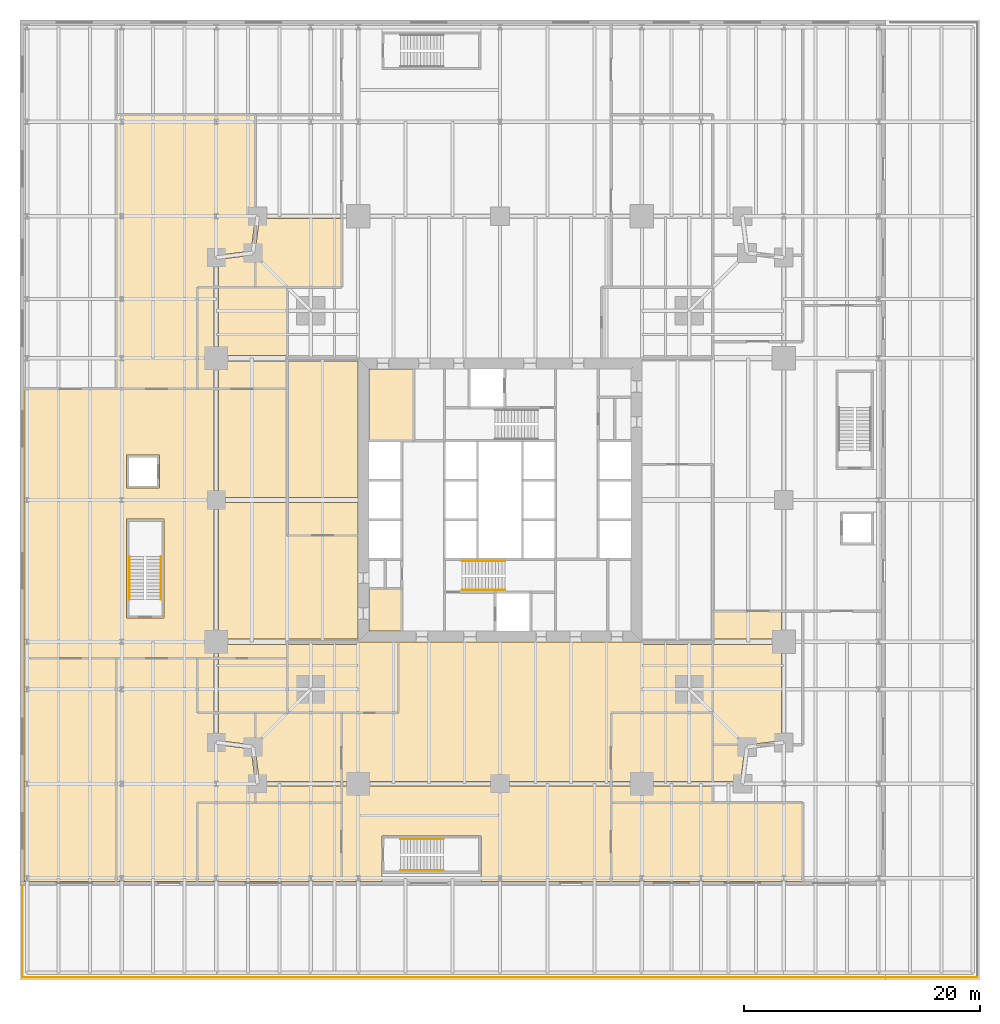
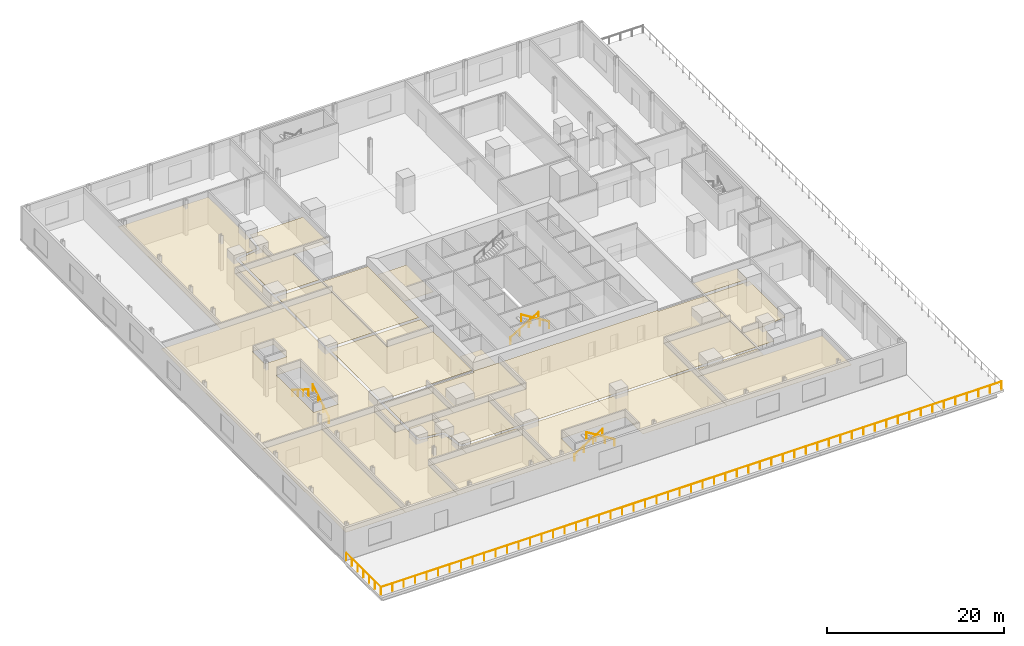
# One storey, part 17 of 18: 31 coverings, 8 railings.
"""IFC4 building model written with IfcOpenShell, lengths in metres."""

from ifc_helpers import new_model, si_unit, direction, frame, origin, origin_2d, place, context, subcontext, project, spatial, polyline, circle, outline, extrude, material, layer, layer_set, type_object, element, save


model = new_model("IFC4")

# Units and contexts
model_context = context("Model", 3, precision=1e-05, world=origin(), true_north=direction((0.0, 1.0)))
body_context = subcontext(model_context, "Body", "Model", "MODEL_VIEW")
ifc_project = project(units=[si_unit("LENGTHUNIT", "METRE"), si_unit("AREAUNIT", "SQUARE_METRE"), si_unit("VOLUMEUNIT", "CUBIC_METRE"), si_unit("PLANEANGLEUNIT", "RADIAN"), si_unit("MASSUNIT", "GRAM", prefix="KILO")], contexts=[model_context])

# Site, building, storey
site_placement = place(None, origin())
site = spatial("IfcSite", under=ifc_project, at=site_placement, CompositionType="ELEMENT")
building_placement = place(site_placement, origin())
building = spatial("IfcBuilding", under=site, at=building_placement, Name="Fenwick Lantern Interchange", CompositionType="ELEMENT")
storey_placement = place(building_placement, frame((0.0, 0.0, 11.800048828125)))
storey = spatial("IfcBuildingStorey", under=building, at=storey_placement, Name="L02", CompositionType="ELEMENT", Elevation=11.800048828125)

# Coverings
ifc_material_1 = material(Name="Mineral fibre acoustic tile on suspended grid")
ifc_layer_1 = layer(ifc_material_1, 0.02001953125)
ifc_layer_set_1 = layer_set([ifc_layer_1], Name="ACOUSTIC TILE CEILING 20")
covering_type_1 = type_object("IfcCoveringType", Name="ACOUSTIC TILE CEILING 20", PredefinedType="CEILING", material=ifc_layer_set_1)
covering_1_placement = place(storey_placement, frame((0.0, 0.0, 3.599853515625)))
element("IfcCovering", 1, at=covering_1_placement, inside=storey, type_object=covering_type_1, Name="Retail arcade west ceiling", PredefinedType="CEILING", context=body_context, shape_type="SweptSolid", body=[
    extrude(outline(polyline([(-7.449951171875, 34.39990234375), (-15.25, 34.39990234375), (-15.25, 11.60009765625), (-7.449951171875, 11.60009765625), (-0.60009765625, 11.60009765625), (0.824951171875, 11.60009765625), (0.824951171875, 13.0), (0.824951171875, 25.0), (0.824951171875, 34.39990234375), (-0.60009765625, 34.39990234375), (-7.449951171875, 34.39990234375)]), holes=[polyline([(-3.39990234375, 15.0), (-6.60009765625, 15.0), (-6.60009765625, 23.39990234375), (-3.39990234375, 23.39990234375), (-3.39990234375, 15.0)]), polyline([(-3.800048828125, 26.0), (-6.60009765625, 26.0), (-6.60009765625, 28.800048828125), (-3.800048828125, 28.800048828125), (-3.800048828125, 26.0)])]), origin(), (0.0, 0.0, 1.0), 0.02001953125),
])
covering_2_placement = place(storey_placement, frame((0.0, 0.0, 3.599853515625)))
element("IfcCovering", 2, at=covering_2_placement, inside=storey, type_object=covering_type_1, Name="Retail arcade west ceiling", PredefinedType="CEILING", context=body_context, shape_type="SweptSolid", body=[
    extrude(outline(polyline([(7.0, 22.0), (7.0, 24.775634765625), (1.175048828125, 24.775634765625), (1.175048828125, 13.232177734375), (13.0, 13.232177734375), (13.0, 22.0), (7.0, 22.0)])), origin(), (0.0, 0.0, 1.0), 0.02001953125),
])
covering_3_placement = place(storey_placement, frame((0.0, 0.0, 3.599853515625)))
element("IfcCovering", 3, at=covering_3_placement, inside=storey, type_object=covering_type_1, Name="Retail arcade west ceiling", PredefinedType="CEILING", context=body_context, shape_type="SweptSolid", body=[
    extrude(outline(polyline([(7.0, 34.39990234375), (1.175048828125, 34.39990234375), (1.175048828125, 25.224365234375), (7.0, 25.224365234375), (7.0, 34.39990234375)])), origin(), (0.0, 0.0, 1.0), 0.02001953125),
])
covering_4_placement = place(storey_placement, frame((0.0, 0.0, 3.599853515625)))
element("IfcCovering", 4, at=covering_4_placement, inside=storey, type_object=covering_type_1, Name="Retail arcade west ceiling", PredefinedType="CEILING", context=body_context, shape_type="SweptSolid", body=[
    extrude(outline(polyline([(7.0, 11.60009765625), (7.0, 12.767822265625), (1.175048828125, 12.767822265625), (1.175048828125, 11.60009765625), (7.0, 11.60009765625)])), origin(), (0.0, 0.0, 1.0), 0.02001953125),
])
covering_5_placement = place(storey_placement, frame((0.0, 0.0, 3.599853515625)))
element("IfcCovering", 5, at=covering_5_placement, inside=storey, type_object=covering_type_1, Name="Retail arcade south ceiling", PredefinedType="CEILING", context=body_context, shape_type="SweptSolid", body=[
    extrude(outline(polyline([(11.60009765625, 7.0), (11.60009765625, 1.175048828125), (13.0, 1.175048828125), (25.0, 1.175048828125), (34.39990234375, 1.175048828125), (34.39990234375, 7.0), (43.0, 7.0), (43.0, 12.767822265625), (37.0, 12.767822265625), (37.0, 13.0), (16.39990234375, 13.0), (16.39990234375, 7.0), (11.60009765625, 7.0)])), origin(), (0.0, 0.0, 1.0), 0.02001953125),
])
covering_6_placement = place(storey_placement, frame((0.0, 0.0, 3.599853515625)))
element("IfcCovering", 6, at=covering_6_placement, inside=storey, type_object=covering_type_1, Name="Retail arcade south ceiling", PredefinedType="CEILING", context=body_context, shape_type="SweptSolid", body=[
    extrude(outline(polyline([(11.60009765625, -0.60009765625), (11.60009765625, -7.25), (15.0, -7.25), (15.0, -6.60009765625), (15.0, -3.39990234375), (23.39990234375, -3.39990234375), (23.39990234375, -6.60009765625), (23.39990234375, -7.25), (34.39990234375, -7.25), (34.39990234375, -0.60009765625), (34.39990234375, 0.824951171875), (25.0, 0.824951171875), (13.0, 0.824951171875), (11.60009765625, 0.824951171875), (11.60009765625, -0.60009765625)])), origin(), (0.0, 0.0, 1.0), 0.02001953125),
])
covering_7_placement = place(storey_placement, frame((0.0, 0.0, 3.599853515625)))
element("IfcCovering", 7, at=covering_7_placement, inside=storey, type_object=covering_type_1, Name="Retail unit 02-1 ceiling", PredefinedType="CEILING", context=body_context, shape_type="SweptSolid", body=[
    extrude(outline(polyline([(-0.60009765625, -0.60009765625), (-0.60009765625, -7.25), (11.60009765625, -7.25), (11.60009765625, -0.60009765625), (-0.60009765625, -0.60009765625)])), origin(), (0.0, 0.0, 1.0), 0.02001953125),
])
covering_8_placement = place(storey_placement, frame((0.0, 0.0, 3.599853515625)))
element("IfcCovering", 8, at=covering_8_placement, inside=storey, type_object=covering_type_1, Name="Retail unit 02-2 ceiling", PredefinedType="CEILING", context=body_context, shape_type="SweptSolid", body=[
    extrude(outline(polyline([(4.300048828125, 7.0), (4.300048828125, 3.9169921875), (4.65380859375, 1.175048828125), (11.60009765625, 1.175048828125), (11.60009765625, 7.0), (4.300048828125, 7.0)])), origin(), (0.0, 0.0, 1.0), 0.02001953125),
])
covering_9_placement = place(storey_placement, frame((0.0, 0.0, 3.599853515625)))
element("IfcCovering", 9, at=covering_9_placement, inside=storey, type_object=covering_type_1, Name="Retail unit 02-2 ceiling", PredefinedType="CEILING", context=body_context, shape_type="SweptSolid", body=[
    extrude(outline(polyline([(4.300048828125, 1.182861328125), (4.300048828125, -0.60009765625), (11.60009765625, -0.60009765625), (11.60009765625, 0.824951171875), (4.5, 0.824951171875), (4.5, 1.0), (4.326416015625, 0.9775390625), (4.300048828125, 1.182861328125)])), origin(), (0.0, 0.0, 1.0), 0.02001953125),
])
covering_10_placement = place(storey_placement, frame((0.0, 0.0, 3.599853515625)))
element("IfcCovering", 10, at=covering_10_placement, inside=storey, type_object=covering_type_1, Name="Retail unit 02-3 ceiling", PredefinedType="CEILING", context=body_context, shape_type="SweptSolid", body=[
    extrude(outline(polyline([(-0.60009765625, 11.60009765625), (-7.449951171875, 11.60009765625), (-7.449951171875, -7.25), (-0.60009765625, -7.25), (-0.60009765625, -0.60009765625), (4.300048828125, -0.60009765625), (4.300048828125, 1.182861328125), (3.94384765625, 3.94384765625), (0.9775390625, 4.326416015625), (1.0, 4.5), (0.824951171875, 4.5), (0.824951171875, 7.0), (-0.60009765625, 7.0), (-0.60009765625, 11.60009765625)])), origin(), (0.0, 0.0, 1.0), 0.02001953125),
])
covering_11_placement = place(storey_placement, frame((0.0, 0.0, 3.599853515625)))
element("IfcCovering", 11, at=covering_11_placement, inside=storey, type_object=covering_type_1, Name="Retail unit 02-3 ceiling", PredefinedType="CEILING", context=body_context, shape_type="SweptSolid", body=[
    extrude(outline(polyline([(4.300048828125, 7.0), (1.175048828125, 7.0), (1.175048828125, 4.65380859375), (4.122314453125, 4.2734375), (4.10009765625, 4.10009765625), (4.2734375, 4.122314453125), (4.300048828125, 3.9169921875), (4.300048828125, 7.0)])), origin(), (0.0, 0.0, 1.0), 0.02001953125),
])
covering_12_placement = place(storey_placement, frame((0.0, 0.0, 3.599853515625)))
element("IfcCovering", 12, at=covering_12_placement, inside=storey, type_object=covering_type_1, Name="Retail unit 02-4 ceiling", PredefinedType="CEILING", context=body_context, shape_type="SweptSolid", body=[
    extrude(outline(polyline([(-7.449951171875, 11.60009765625), (-15.25, 11.60009765625), (-15.25, -7.25), (-7.449951171875, -7.25), (-7.449951171875, 11.60009765625)])), origin(), (0.0, 0.0, 1.0), 0.02001953125),
])
covering_13_placement = place(storey_placement, frame((0.0, 0.0, 3.599853515625)))
element("IfcCovering", 13, at=covering_13_placement, inside=storey, type_object=covering_type_1, Name="Retail unit 02-5 ceiling", PredefinedType="CEILING", context=body_context, shape_type="SweptSolid", body=[
    extrude(outline(polyline([(7.0, 11.60009765625), (1.175048828125, 11.60009765625), (1.175048828125, 7.0), (7.0, 7.0), (7.0, 11.60009765625)])), origin(), (0.0, 0.0, 1.0), 0.02001953125),
])
covering_14_placement = place(storey_placement, frame((0.0, 0.0, 3.599853515625)))
element("IfcCovering", 14, at=covering_14_placement, inside=storey, type_object=covering_type_1, Name="Retail unit 02-5 ceiling", PredefinedType="CEILING", context=body_context, shape_type="SweptSolid", body=[
    extrude(outline(polyline([(-0.60009765625, 11.60009765625), (-0.60009765625, 7.0), (0.824951171875, 7.0), (0.824951171875, 11.60009765625), (-0.60009765625, 11.60009765625)])), origin(), (0.0, 0.0, 1.0), 0.02001953125),
])
covering_15_placement = place(storey_placement, frame((0.0, 0.0, 3.599853515625)))
element("IfcCovering", 15, at=covering_15_placement, inside=storey, type_object=covering_type_1, Name="Retail unit 02-6 ceiling", PredefinedType="CEILING", context=body_context, shape_type="SweptSolid", body=[
    extrude(outline(polyline([(34.39990234375, -0.60009765625), (34.39990234375, -7.25), (50.60009765625, -7.25), (50.60009765625, -0.60009765625), (34.39990234375, -0.60009765625)])), origin(), (0.0, 0.0, 1.0), 0.02001953125),
])
covering_16_placement = place(storey_placement, frame((0.0, 0.0, 3.599853515625)))
element("IfcCovering", 16, at=covering_16_placement, inside=storey, type_object=covering_type_1, Name="Retail unit 02-7 ceiling", PredefinedType="CEILING", context=body_context, shape_type="SweptSolid", body=[
    extrude(outline(polyline([(34.39990234375, 7.0), (34.39990234375, 1.175048828125), (37.0, 1.175048828125), (43.0, 1.175048828125), (43.0, 7.0), (34.39990234375, 7.0)])), origin(), (0.0, 0.0, 1.0), 0.02001953125),
])
covering_17_placement = place(storey_placement, frame((0.0, 0.0, 3.599853515625)))
element("IfcCovering", 17, at=covering_17_placement, inside=storey, type_object=covering_type_1, Name="Retail unit 02-7 ceiling", PredefinedType="CEILING", context=body_context, shape_type="SweptSolid", body=[
    extrude(outline(polyline([(34.39990234375, 0.824951171875), (34.39990234375, -0.60009765625), (43.0, -0.60009765625), (43.0, 0.824951171875), (37.0, 0.824951171875), (34.39990234375, 0.824951171875)])), origin(), (0.0, 0.0, 1.0), 0.02001953125),
])
covering_18_placement = place(storey_placement, frame((0.0, 0.0, 3.599853515625)))
element("IfcCovering", 18, at=covering_18_placement, inside=storey, type_object=covering_type_1, Name="Retail unit 02-8 ceiling", PredefinedType="CEILING", context=body_context, shape_type="SweptSolid", body=[
    extrude(outline(polyline([(43.0, 4.300048828125), (43.0, 1.175048828125), (45.34619140625, 1.175048828125), (45.7265625, 4.122314453125), (45.89990234375, 4.10009765625), (45.877685546875, 4.2734375), (46.0830078125, 4.300048828125), (43.0, 4.300048828125)])), origin(), (0.0, 0.0, 1.0), 0.02001953125),
])
covering_19_placement = place(storey_placement, frame((0.0, 0.0, 3.599853515625)))
element("IfcCovering", 19, at=covering_19_placement, inside=storey, type_object=covering_type_1, Name="Retail unit 02-9 ceiling", PredefinedType="CEILING", context=body_context, shape_type="SweptSolid", body=[
    extrude(outline(polyline([(43.0, 12.767822265625), (43.0, 4.300048828125), (46.0830078125, 4.300048828125), (48.824951171875, 4.65380859375), (48.824951171875, 12.767822265625), (43.0, 12.767822265625)])), origin(), (0.0, 0.0, 1.0), 0.02001953125),
])
covering_20_placement = place(storey_placement, frame((0.0, 0.0, 3.599853515625)))
element("IfcCovering", 20, at=covering_20_placement, inside=storey, type_object=covering_type_1, Name="Retail unit 02-9 ceiling", PredefinedType="CEILING", context=body_context, shape_type="SweptSolid", body=[
    extrude(outline(polyline([(43.0, 15.60009765625), (43.0, 13.232177734375), (48.824951171875, 13.232177734375), (48.824951171875, 15.60009765625), (43.0, 15.60009765625)])), origin(), (0.0, 0.0, 1.0), 0.02001953125),
])
covering_21_placement = place(storey_placement, frame((0.0, 0.0, 3.599853515625)))
element("IfcCovering", 21, at=covering_21_placement, inside=storey, type_object=covering_type_1, Name="Retail unit 02-14 ceiling", PredefinedType="CEILING", context=body_context, shape_type="SweptSolid", body=[
    extrude(outline(polyline([(7.0, 43.0), (1.175048828125, 43.0), (1.175048828125, 37.232177734375), (7.0, 37.232177734375), (7.0, 43.0)])), origin(), (0.0, 0.0, 1.0), 0.02001953125),
])
covering_22_placement = place(storey_placement, frame((0.0, 0.0, 3.599853515625)))
element("IfcCovering", 22, at=covering_22_placement, inside=storey, type_object=covering_type_1, Name="Retail unit 02-14 ceiling", PredefinedType="CEILING", context=body_context, shape_type="SweptSolid", body=[
    extrude(outline(polyline([(7.0, 34.39990234375), (7.0, 36.767822265625), (1.175048828125, 36.767822265625), (1.175048828125, 34.39990234375), (7.0, 34.39990234375)])), origin(), (0.0, 0.0, 1.0), 0.02001953125),
])
covering_23_placement = place(storey_placement, frame((0.0, 0.0, 3.599853515625)))
element("IfcCovering", 23, at=covering_23_placement, inside=storey, type_object=covering_type_1, Name="Retail unit 02-14 ceiling", PredefinedType="CEILING", context=body_context, shape_type="SweptSolid", body=[
    extrude(outline(polyline([(-0.60009765625, 43.0), (-0.60009765625, 34.39990234375), (0.824951171875, 34.39990234375), (0.824951171875, 37.0), (0.824951171875, 43.0), (-0.60009765625, 43.0)])), origin(), (0.0, 0.0, 1.0), 0.02001953125),
])
covering_24_placement = place(storey_placement, frame((0.0, 0.0, 3.599853515625)))
element("IfcCovering", 24, at=covering_24_placement, inside=storey, type_object=covering_type_1, Name="Retail unit 02-15 ceiling", PredefinedType="CEILING", context=body_context, shape_type="SweptSolid", body=[
    extrude(outline(polyline([(-7.449951171875, 57.60009765625), (-7.449951171875, 34.39990234375), (-0.60009765625, 34.39990234375), (-0.60009765625, 43.0), (0.824951171875, 43.0), (0.824951171875, 45.5), (1.0, 45.5), (0.9775390625, 45.673583984375), (3.94384765625, 46.05615234375), (4.300048828125, 48.817138671875), (4.300048828125, 57.60009765625), (-7.449951171875, 57.60009765625)])), origin(), (0.0, 0.0, 1.0), 0.02001953125),
])
covering_25_placement = place(storey_placement, frame((0.0, 0.0, 3.599853515625)))
element("IfcCovering", 25, at=covering_25_placement, inside=storey, type_object=covering_type_1, Name="Retail unit 02-15 ceiling", PredefinedType="CEILING", context=body_context, shape_type="SweptSolid", body=[
    extrude(outline(polyline([(4.300048828125, 43.0), (4.300048828125, 46.0830078125), (4.2734375, 45.877685546875), (4.10009765625, 45.89990234375), (4.122314453125, 45.7265625), (1.175048828125, 45.34619140625), (1.175048828125, 43.0), (4.300048828125, 43.0)])), origin(), (0.0, 0.0, 1.0), 0.02001953125),
])
covering_26_placement = place(storey_placement, frame((0.0, 0.0, 3.599853515625)))
element("IfcCovering", 26, at=covering_26_placement, inside=storey, type_object=covering_type_1, Name="Retail unit 02-17 ceiling", PredefinedType="CEILING", context=body_context, shape_type="SweptSolid", body=[
    extrude(outline(polyline([(4.300048828125, 46.0830078125), (4.300048828125, 43.0), (11.60009765625, 43.0), (11.60009765625, 48.824951171875), (4.65380859375, 48.824951171875), (4.300048828125, 46.0830078125)])), origin(), (0.0, 0.0, 1.0), 0.02001953125),
])
covering_27_placement = place(storey_placement, frame((0.0, 0.0, 3.599853515625)))
element("IfcCovering", 27, at=covering_27_placement, inside=storey, type_object=covering_type_1, Name="Retail unit 02-19 ceiling", PredefinedType="CEILING", context=body_context, shape_type="SweptSolid", body=[
    extrude(outline(polyline([(7.0, 36.767822265625), (7.0, 25.224365234375), (13.0, 25.224365234375), (13.0, 36.767822265625), (7.0, 36.767822265625)])), origin(), (0.0, 0.0, 1.0), 0.02001953125),
])
covering_28_placement = place(storey_placement, frame((0.0, 0.0, 3.599853515625)))
element("IfcCovering", 28, at=covering_28_placement, inside=storey, type_object=covering_type_1, Name="Retail unit 02-19 ceiling", PredefinedType="CEILING", context=body_context, shape_type="SweptSolid", body=[
    extrude(outline(polyline([(7.0, 24.775634765625), (7.0, 22.0), (13.0, 22.0), (13.0, 24.775634765625), (7.0, 24.775634765625)])), origin(), (0.0, 0.0, 1.0), 0.02001953125),
])
covering_29_placement = place(storey_placement, frame((0.0, 0.0, 3.599853515625)))
element("IfcCovering", 29, at=covering_29_placement, inside=storey, type_object=covering_type_1, Name="Retail unit 02-21 ceiling", PredefinedType="CEILING", context=body_context, shape_type="SweptSolid", body=[
    extrude(outline(polyline([(7.0, 12.767822265625), (7.0, 7.0), (16.39990234375, 7.0), (16.39990234375, 13.0), (13.0, 13.0), (13.0, 12.767822265625), (7.0, 12.767822265625)])), origin(), (0.0, 0.0, 1.0), 0.02001953125),
])

# Railings
ifc_material_2 = material(Name="Stainless steel handrail", Category="steel")
railing_type_1 = type_object("IfcRailingType", Name="HANDRAIL 900", PredefinedType="HANDRAIL", material=ifc_material_2)
railing_1_placement = place(storey_placement, frame((21.800048828125, 19.825927734375, 0.17138671875)))
element("IfcRailing", 30, at=railing_1_placement, inside=storey, type_object=railing_type_1, Name="L02/STAIR/ST1/HR1", PredefinedType="HANDRAIL", context=body_context, shape_type="SweptSolid", body=[
    extrude(circle(Radius=0.02392578125, at=origin_2d()), frame((0.0, 0.0, 0.8759765625), z_axis=(0.852850264322, 0.0, 0.5221555579), x_axis=(0.0, 1.0, 0.0)), (0.0, 0.0, 1.0), 4.267822265625),
    extrude(circle(Radius=0.02099609375, at=origin_2d()), origin(), (0.0, 0.0, 1.0), 0.851806640625),
    extrude(circle(Radius=0.02099609375, at=origin_2d()), frame((1.21337890625, 0.0, 0.742919921875)), (0.0, 0.0, 1.0), 0.851806640625),
    extrude(circle(Radius=0.02099609375, at=origin_2d()), frame((2.426513671875, 0.0, 1.485595703125)), (0.0, 0.0, 1.0), 0.851806640625),
    extrude(circle(Radius=0.02099609375, at=origin_2d()), frame((3.639892578125, 0.0, 2.228515625)), (0.0, 0.0, 1.0), 0.851806640625),
])
railing_2_placement = place(storey_placement, frame((25.43994140625, 17.3740234375, 2.5712890625)))
element("IfcRailing", 31, at=railing_2_placement, inside=storey, type_object=railing_type_1, Name="L02/STAIR/ST1/HR2", PredefinedType="HANDRAIL", context=body_context, shape_type="SweptSolid", body=[
    extrude(circle(Radius=0.02392578125, at=origin_2d()), frame((0.0, 0.0, 0.8759765625), z_axis=(-0.852824790078, 0.0, 0.522197163366), x_axis=(0.0, -1.0, 0.0)), (0.0, 0.0, 1.0), 4.26806640625),
    extrude(circle(Radius=0.02099609375, at=origin_2d()), origin(), (0.0, 0.0, 1.0), 0.851806640625),
    extrude(circle(Radius=0.02099609375, at=origin_2d()), frame((-1.21337890625, 0.0, 0.742919921875)), (0.0, 0.0, 1.0), 0.851806640625),
    extrude(circle(Radius=0.02099609375, at=origin_2d()), frame((-2.426513671875, 0.0, 1.48583984375)), (0.0, 0.0, 1.0), 0.851806640625),
    extrude(circle(Radius=0.02099609375, at=origin_2d()), frame((-3.639892578125, 0.0, 2.228759765625)), (0.0, 0.0, 1.0), 0.851806640625),
])
railing_3_placement = place(storey_placement, frame((16.60009765625, -3.674072265625, 0.17138671875)))
element("IfcRailing", 32, at=railing_3_placement, inside=storey, type_object=railing_type_1, Name="L02/STAIR/PS2/HR1", PredefinedType="HANDRAIL", context=body_context, shape_type="SweptSolid", body=[
    extrude(circle(Radius=0.02392578125, at=origin_2d()), frame((0.0, 0.0, 0.8759765625), z_axis=(0.852850264322, 0.0, 0.5221555579), x_axis=(0.0, 1.0, 0.0)), (0.0, 0.0, 1.0), 4.267822265625),
    extrude(circle(Radius=0.02099609375, at=origin_2d()), origin(), (0.0, 0.0, 1.0), 0.851806640625),
    extrude(circle(Radius=0.02099609375, at=origin_2d()), frame((1.21337890625, 0.0, 0.742919921875)), (0.0, 0.0, 1.0), 0.851806640625),
    extrude(circle(Radius=0.02099609375, at=origin_2d()), frame((2.426513671875, 0.0, 1.485595703125)), (0.0, 0.0, 1.0), 0.851806640625),
    extrude(circle(Radius=0.02099609375, at=origin_2d()), frame((3.639892578125, 0.0, 2.228515625)), (0.0, 0.0, 1.0), 0.851806640625),
])
railing_4_placement = place(storey_placement, frame((20.239990234375, -6.325927734375, 2.5712890625)))
element("IfcRailing", 33, at=railing_4_placement, inside=storey, type_object=railing_type_1, Name="L02/STAIR/PS2/HR2", PredefinedType="HANDRAIL", context=body_context, shape_type="SweptSolid", body=[
    extrude(circle(Radius=0.02392578125, at=origin_2d()), frame((0.0, 0.0, 0.8759765625), z_axis=(-0.852824790078, 0.0, 0.522197163366), x_axis=(0.0, -1.0, 0.0)), (0.0, 0.0, 1.0), 4.26806640625),
    extrude(circle(Radius=0.02099609375, at=origin_2d()), origin(), (0.0, 0.0, 1.0), 0.851806640625),
    extrude(circle(Radius=0.02099609375, at=origin_2d()), frame((-1.21337890625, 0.0, 0.742919921875)), (0.0, 0.0, 1.0), 0.851806640625),
    extrude(circle(Radius=0.02099609375, at=origin_2d()), frame((-2.426513671875, 0.0, 1.48583984375)), (0.0, 0.0, 1.0), 0.851806640625),
    extrude(circle(Radius=0.02099609375, at=origin_2d()), frame((-3.639892578125, 0.0, 2.228759765625)), (0.0, 0.0, 1.0), 0.851806640625),
])
railing_5_placement = place(storey_placement, frame((-3.674072265625, 16.60009765625, 0.17138671875)))
element("IfcRailing", 34, at=railing_5_placement, inside=storey, type_object=railing_type_1, Name="L02/STAIR/PS3/HR1", PredefinedType="HANDRAIL", context=body_context, shape_type="SweptSolid", body=[
    extrude(circle(Radius=0.02392578125, at=origin_2d()), frame((0.0, 0.0, 0.8759765625), z_axis=(0.0, 0.852850264322, 0.5221555579), x_axis=(-1.0, 0.0, 0.0)), (0.0, 0.0, 1.0), 4.267822265625),
    extrude(circle(Radius=0.02099609375, at=origin_2d()), origin(), (0.0, 0.0, 1.0), 0.851806640625),
    extrude(circle(Radius=0.02099609375, at=origin_2d()), frame((0.0, 1.21337890625, 0.742919921875)), (0.0, 0.0, 1.0), 0.851806640625),
    extrude(circle(Radius=0.02099609375, at=origin_2d()), frame((0.0, 2.426513671875, 1.485595703125)), (0.0, 0.0, 1.0), 0.851806640625),
    extrude(circle(Radius=0.02099609375, at=origin_2d()), frame((0.0, 3.639892578125, 2.228515625)), (0.0, 0.0, 1.0), 0.851806640625),
])
railing_6_placement = place(storey_placement, frame((-6.325927734375, 20.239990234375, 2.5712890625)))
element("IfcRailing", 35, at=railing_6_placement, inside=storey, type_object=railing_type_1, Name="L02/STAIR/PS3/HR2", PredefinedType="HANDRAIL", context=body_context, shape_type="SweptSolid", body=[
    extrude(circle(Radius=0.02392578125, at=origin_2d()), frame((0.0, 0.0, 0.8759765625), z_axis=(0.0, -0.852824790078, 0.522197163366), x_axis=(1.0, 0.0, 0.0)), (0.0, 0.0, 1.0), 4.26806640625),
    extrude(circle(Radius=0.02099609375, at=origin_2d()), origin(), (0.0, 0.0, 1.0), 0.851806640625),
    extrude(circle(Radius=0.02099609375, at=origin_2d()), frame((0.0, -1.21337890625, 0.742919921875)), (0.0, 0.0, 1.0), 0.851806640625),
    extrude(circle(Radius=0.02099609375, at=origin_2d()), frame((0.0, -2.426513671875, 1.48583984375)), (0.0, 0.0, 1.0), 0.851806640625),
    extrude(circle(Radius=0.02099609375, at=origin_2d()), frame((0.0, -3.639892578125, 2.228759765625)), (0.0, 0.0, 1.0), 0.851806640625),
])

# Coverings
ifc_material_3 = material(Name="Moisture resistant gypsum board on suspended frame, painted")
ifc_layer_2 = layer(ifc_material_3, 0.014892578125)
ifc_layer_set_2 = layer_set([ifc_layer_2], Name="MOISTURE RESISTANT CEILING 15")
covering_type_2 = type_object("IfcCoveringType", Name="MOISTURE RESISTANT CEILING 15", PredefinedType="CEILING", material=ifc_layer_set_2)
covering_30_placement = place(storey_placement, frame((0.0, 0.0, 2.599853515625)))
element("IfcCovering", 36, at=covering_30_placement, inside=storey, type_object=covering_type_2, Name="Accessible WC and shower ceiling", PredefinedType="CEILING", context=body_context, shape_type="SweptSolid", body=[
    extrude(outline(polyline([(13.89990234375, 13.89990234375), (16.699951171875, 13.89990234375), (16.699951171875, 17.5), (13.89990234375, 17.5), (13.89990234375, 13.89990234375)])), origin(), (0.0, 0.0, 1.0), 0.01513671875),
])
covering_31_placement = place(storey_placement, frame((0.0, 0.0, 2.599853515625)))
element("IfcCovering", 37, at=covering_31_placement, inside=storey, type_object=covering_type_2, Name="Women's WC ceiling", PredefinedType="CEILING", context=body_context, shape_type="SweptSolid", body=[
    extrude(outline(polyline([(17.699951171875, 36.10009765625), (13.89990234375, 36.10009765625), (13.89990234375, 30.0), (17.699951171875, 30.0), (17.699951171875, 36.10009765625)])), origin(), (0.0, 0.0, 1.0), 0.01513671875),
])

# Railings
ifc_material_4 = material(Name="Stainless steel and laminated glass guard", Category="steel")
railing_type_2 = type_object("IfcRailingType", Name="TERRACE GUARD 1100", PredefinedType="GUARDRAIL", material=ifc_material_4)
railing_7_placement = place(storey_placement, frame((-15.39990234375, -15.39990234375, 0.0)))
element("IfcRailing", 38, at=railing_7_placement, inside=storey, type_object=railing_type_2, Name="L02/GR/1", PredefinedType="GUARDRAIL", context=body_context, shape_type="SweptSolid", body=[
    extrude(circle(Radius=0.02392578125, at=origin_2d()), frame((0.0, 0.0, 1.076171875), z_axis=(1.0, 0.0, 0.0), x_axis=(0.0, 1.0, 0.0)), (0.0, 0.0, 1.0), 80.7998046875),
    extrude(circle(Radius=0.02099609375, at=origin_2d()), origin(), (0.0, 0.0, 1.0), 1.052001953125),
    extrude(circle(Radius=0.02099609375, at=origin_2d()), frame((1.496337890625, 0.0, 0.0)), (0.0, 0.0, 1.0), 1.052001953125),
    extrude(circle(Radius=0.02099609375, at=origin_2d()), frame((2.99267578125, 0.0, 0.0)), (0.0, 0.0, 1.0), 1.052001953125),
    extrude(circle(Radius=0.02099609375, at=origin_2d()), frame((4.48876953125, 0.0, 0.0)), (0.0, 0.0, 1.0), 1.052001953125),
    extrude(circle(Radius=0.02099609375, at=origin_2d()), frame((5.985107421875, 0.0, 0.0)), (0.0, 0.0, 1.0), 1.052001953125),
    extrude(circle(Radius=0.02099609375, at=origin_2d()), frame((7.4814453125, 0.0, 0.0)), (0.0, 0.0, 1.0), 1.052001953125),
    extrude(circle(Radius=0.02099609375, at=origin_2d()), frame((8.977783203125, 0.0, 0.0)), (0.0, 0.0, 1.0), 1.052001953125),
    extrude(circle(Radius=0.02099609375, at=origin_2d()), frame((10.47412109375, 0.0, 0.0)), (0.0, 0.0, 1.0), 1.052001953125),
    extrude(circle(Radius=0.02099609375, at=origin_2d()), frame((11.970458984375, 0.0, 0.0)), (0.0, 0.0, 1.0), 1.052001953125),
    extrude(circle(Radius=0.02099609375, at=origin_2d()), frame((13.466552734375, 0.0, 0.0)), (0.0, 0.0, 1.0), 1.052001953125),
    extrude(circle(Radius=0.02099609375, at=origin_2d()), frame((14.962890625, 0.0, 0.0)), (0.0, 0.0, 1.0), 1.052001953125),
    extrude(circle(Radius=0.02099609375, at=origin_2d()), frame((16.459228515625, 0.0, 0.0)), (0.0, 0.0, 1.0), 1.052001953125),
    extrude(circle(Radius=0.02099609375, at=origin_2d()), frame((17.95556640625, 0.0, 0.0)), (0.0, 0.0, 1.0), 1.052001953125),
    extrude(circle(Radius=0.02099609375, at=origin_2d()), frame((19.451904296875, 0.0, 0.0)), (0.0, 0.0, 1.0), 1.052001953125),
    extrude(circle(Radius=0.02099609375, at=origin_2d()), frame((20.947998046875, 0.0, 0.0)), (0.0, 0.0, 1.0), 1.052001953125),
    extrude(circle(Radius=0.02099609375, at=origin_2d()), frame((22.4443359375, 0.0, 0.0)), (0.0, 0.0, 1.0), 1.052001953125),
    extrude(circle(Radius=0.02099609375, at=origin_2d()), frame((23.940673828125, 0.0, 0.0)), (0.0, 0.0, 1.0), 1.052001953125),
    extrude(circle(Radius=0.02099609375, at=origin_2d()), frame((25.43701171875, 0.0, 0.0)), (0.0, 0.0, 1.0), 1.052001953125),
    extrude(circle(Radius=0.02099609375, at=origin_2d()), frame((26.933349609375, 0.0, 0.0)), (0.0, 0.0, 1.0), 1.052001953125),
    extrude(circle(Radius=0.02099609375, at=origin_2d()), frame((28.429443359375, 0.0, 0.0)), (0.0, 0.0, 1.0), 1.052001953125),
    extrude(circle(Radius=0.02099609375, at=origin_2d()), frame((29.92578125, 0.0, 0.0)), (0.0, 0.0, 1.0), 1.052001953125),
    extrude(circle(Radius=0.02099609375, at=origin_2d()), frame((31.422119140625, 0.0, 0.0)), (0.0, 0.0, 1.0), 1.052001953125),
    extrude(circle(Radius=0.02099609375, at=origin_2d()), frame((32.91845703125, 0.0, 0.0)), (0.0, 0.0, 1.0), 1.052001953125),
    extrude(circle(Radius=0.02099609375, at=origin_2d()), frame((34.414794921875, 0.0, 0.0)), (0.0, 0.0, 1.0), 1.052001953125),
    extrude(circle(Radius=0.02099609375, at=origin_2d()), frame((35.9111328125, 0.0, 0.0)), (0.0, 0.0, 1.0), 1.052001953125),
    extrude(circle(Radius=0.02099609375, at=origin_2d()), frame((37.4072265625, 0.0, 0.0)), (0.0, 0.0, 1.0), 1.052001953125),
    extrude(circle(Radius=0.02099609375, at=origin_2d()), frame((38.903564453125, 0.0, 0.0)), (0.0, 0.0, 1.0), 1.052001953125),
    extrude(circle(Radius=0.02099609375, at=origin_2d()), frame((40.39990234375, 0.0, 0.0)), (0.0, 0.0, 1.0), 1.052001953125),
    extrude(circle(Radius=0.02099609375, at=origin_2d()), frame((41.896240234375, 0.0, 0.0)), (0.0, 0.0, 1.0), 1.052001953125),
    extrude(circle(Radius=0.02099609375, at=origin_2d()), frame((43.392578125, 0.0, 0.0)), (0.0, 0.0, 1.0), 1.052001953125),
    extrude(circle(Radius=0.02099609375, at=origin_2d()), frame((44.888671875, 0.0, 0.0)), (0.0, 0.0, 1.0), 1.052001953125),
    extrude(circle(Radius=0.02099609375, at=origin_2d()), frame((46.385009765625, 0.0, 0.0)), (0.0, 0.0, 1.0), 1.052001953125),
    extrude(circle(Radius=0.02099609375, at=origin_2d()), frame((47.88134765625, 0.0, 0.0)), (0.0, 0.0, 1.0), 1.052001953125),
    extrude(circle(Radius=0.02099609375, at=origin_2d()), frame((49.377685546875, 0.0, 0.0)), (0.0, 0.0, 1.0), 1.052001953125),
    extrude(circle(Radius=0.02099609375, at=origin_2d()), frame((50.8740234375, 0.0, 0.0)), (0.0, 0.0, 1.0), 1.052001953125),
    extrude(circle(Radius=0.02099609375, at=origin_2d()), frame((52.370361328125, 0.0, 0.0)), (0.0, 0.0, 1.0), 1.052001953125),
    extrude(circle(Radius=0.02099609375, at=origin_2d()), frame((53.866455078125, 0.0, 0.0)), (0.0, 0.0, 1.0), 1.052001953125),
    extrude(circle(Radius=0.02099609375, at=origin_2d()), frame((55.36279296875, 0.0, 0.0)), (0.0, 0.0, 1.0), 1.052001953125),
    extrude(circle(Radius=0.02099609375, at=origin_2d()), frame((56.859130859375, 0.0, 0.0)), (0.0, 0.0, 1.0), 1.052001953125),
    extrude(circle(Radius=0.02099609375, at=origin_2d()), frame((58.35546875, 0.0, 0.0)), (0.0, 0.0, 1.0), 1.052001953125),
    extrude(circle(Radius=0.02099609375, at=origin_2d()), frame((59.851806640625, 0.0, 0.0)), (0.0, 0.0, 1.0), 1.052001953125),
    extrude(circle(Radius=0.02099609375, at=origin_2d()), frame((61.347900390625, 0.0, 0.0)), (0.0, 0.0, 1.0), 1.052001953125),
    extrude(circle(Radius=0.02099609375, at=origin_2d()), frame((62.84423828125, 0.0, 0.0)), (0.0, 0.0, 1.0), 1.052001953125),
    extrude(circle(Radius=0.02099609375, at=origin_2d()), frame((64.340576171875, 0.0, 0.0)), (0.0, 0.0, 1.0), 1.052001953125),
    extrude(circle(Radius=0.02099609375, at=origin_2d()), frame((65.8369140625, 0.0, 0.0)), (0.0, 0.0, 1.0), 1.052001953125),
    extrude(circle(Radius=0.02099609375, at=origin_2d()), frame((67.333251953125, 0.0, 0.0)), (0.0, 0.0, 1.0), 1.052001953125),
    extrude(circle(Radius=0.02099609375, at=origin_2d()), frame((68.829345703125, 0.0, 0.0)), (0.0, 0.0, 1.0), 1.052001953125),
    extrude(circle(Radius=0.02099609375, at=origin_2d()), frame((70.32568359375, 0.0, 0.0)), (0.0, 0.0, 1.0), 1.052001953125),
    extrude(circle(Radius=0.02099609375, at=origin_2d()), frame((71.822021484375, 0.0, 0.0)), (0.0, 0.0, 1.0), 1.052001953125),
    extrude(circle(Radius=0.02099609375, at=origin_2d()), frame((73.318359375, 0.0, 0.0)), (0.0, 0.0, 1.0), 1.052001953125),
    extrude(circle(Radius=0.02099609375, at=origin_2d()), frame((74.814697265625, 0.0, 0.0)), (0.0, 0.0, 1.0), 1.052001953125),
    extrude(circle(Radius=0.02099609375, at=origin_2d()), frame((76.31103515625, 0.0, 0.0)), (0.0, 0.0, 1.0), 1.052001953125),
    extrude(circle(Radius=0.02099609375, at=origin_2d()), frame((77.80712890625, 0.0, 0.0)), (0.0, 0.0, 1.0), 1.052001953125),
    extrude(circle(Radius=0.02099609375, at=origin_2d()), frame((79.303466796875, 0.0, 0.0)), (0.0, 0.0, 1.0), 1.052001953125),
    extrude(circle(Radius=0.02099609375, at=origin_2d()), frame((80.7998046875, 0.0, 0.0)), (0.0, 0.0, 1.0), 1.052001953125),
])
railing_8_placement = place(storey_placement, frame((-15.39990234375, -7.60009765625, 0.0)))
element("IfcRailing", 39, at=railing_8_placement, inside=storey, type_object=railing_type_2, Name="L02/GR/4", PredefinedType="GUARDRAIL", context=body_context, shape_type="SweptSolid", body=[
    extrude(circle(Radius=0.02392578125, at=origin_2d()), frame((0.0, 0.0, 1.076171875), z_axis=(0.0, -1.0, 0.0), x_axis=(1.0, 0.0, 0.0)), (0.0, 0.0, 1.0), 7.7998046875),
    extrude(circle(Radius=0.02099609375, at=origin_2d()), origin(), (0.0, 0.0, 1.0), 1.052001953125),
    extrude(circle(Radius=0.02099609375, at=origin_2d()), frame((0.0, -1.300048828125, 0.0)), (0.0, 0.0, 1.0), 1.052001953125),
    extrude(circle(Radius=0.02099609375, at=origin_2d()), frame((0.0, -2.599853515625, 0.0)), (0.0, 0.0, 1.0), 1.052001953125),
    extrude(circle(Radius=0.02099609375, at=origin_2d()), frame((0.0, -3.89990234375, 0.0)), (0.0, 0.0, 1.0), 1.052001953125),
    extrude(circle(Radius=0.02099609375, at=origin_2d()), frame((0.0, -5.199951171875, 0.0)), (0.0, 0.0, 1.0), 1.052001953125),
    extrude(circle(Radius=0.02099609375, at=origin_2d()), frame((0.0, -6.499755859375, 0.0)), (0.0, 0.0, 1.0), 1.052001953125),
    extrude(circle(Radius=0.02099609375, at=origin_2d()), frame((0.0, -7.7998046875, 0.0)), (0.0, 0.0, 1.0), 1.052001953125),
])

save(model, "model.ifc")
